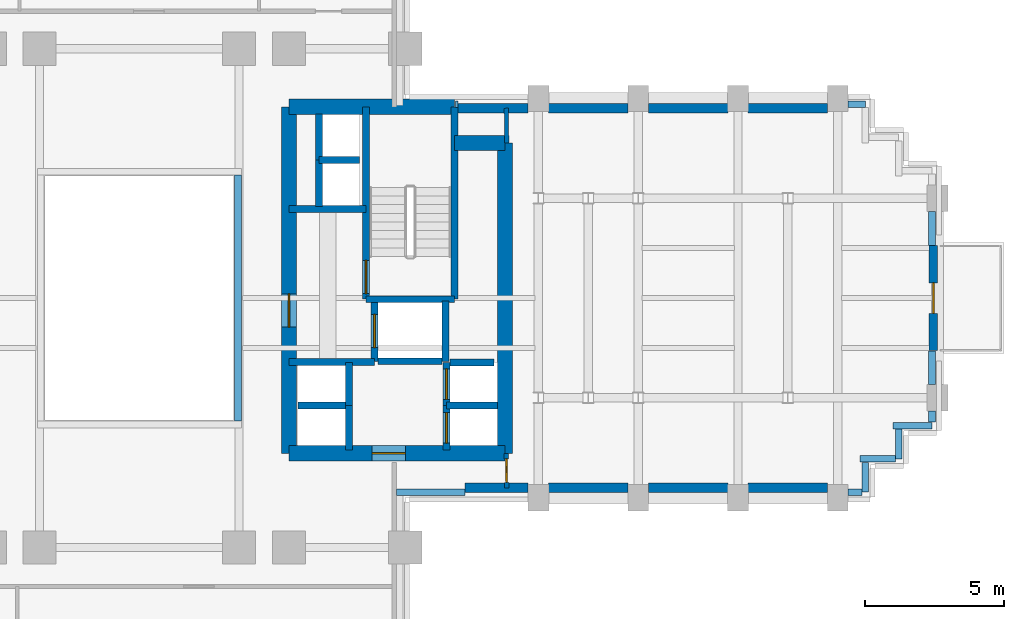
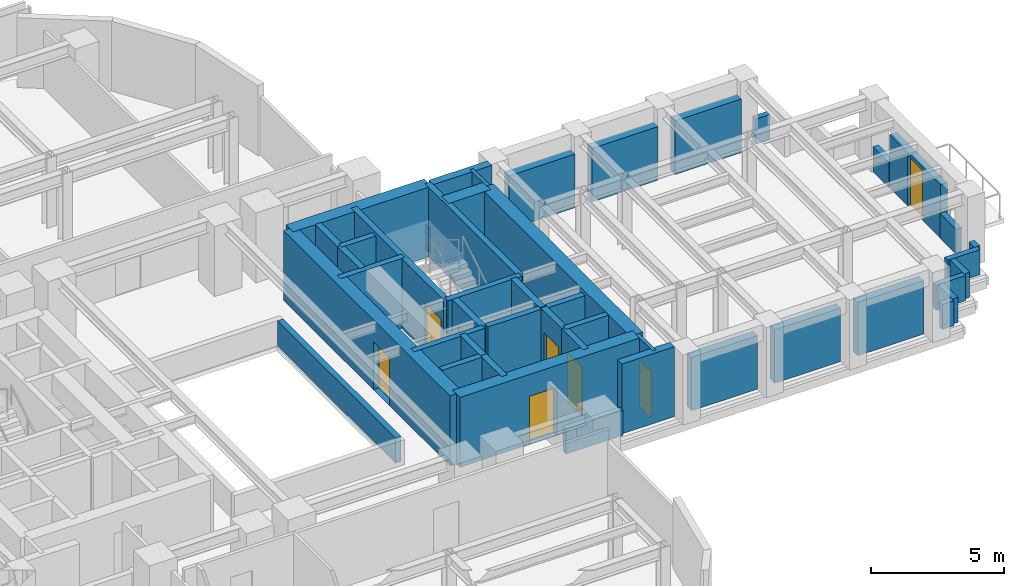
# One storey, part 10 of 14: 46 walls, 8 doors, 8 openings.
"""IFC4 building model written with IfcOpenShell, lengths in metres."""

from ifc_helpers import new_model, si_unit, direction, frame, frame_2d, origin, place, context, subcontext, project, spatial, rectangle, extrude, source, transform, mapped, material, layer, layer_set, type_object, element, fill, save


model = new_model("IFC4")

# Units and contexts
model_context = context("Model", 3, precision=1e-05, world=origin(), true_north=direction((0.0, 1.0)))
body_context = subcontext(model_context, "Body", "Model", "MODEL_VIEW")
ifc_project = project(units=[si_unit("LENGTHUNIT", "METRE"), si_unit("AREAUNIT", "SQUARE_METRE"), si_unit("VOLUMEUNIT", "CUBIC_METRE"), si_unit("PLANEANGLEUNIT", "RADIAN"), si_unit("MASSUNIT", "GRAM", prefix="KILO")], contexts=[model_context])

# Site, building, storey
site_placement = place(None, origin())
site = spatial("IfcSite", under=ifc_project, at=site_placement, CompositionType="ELEMENT")
building_placement = place(site_placement, origin())
building = spatial("IfcBuilding", under=site, at=building_placement, Name="Keilestroom Media Tower", CompositionType="ELEMENT")
storey_placement = place(building_placement, frame((0.0, 0.0, 44.199951171875)))
storey = spatial("IfcBuildingStorey", under=building, at=storey_placement, Name="L10", CompositionType="ELEMENT", Elevation=44.199951171875)

# Wall, opening, door
ifc_material_1 = material(Name="Precast concrete C40/50", Category="concrete")
ifc_layer_1 = layer(ifc_material_1, 0.300048828125)
ifc_layer_set_1 = layer_set([ifc_layer_1], Name="Precast concrete C40/50")
wall_type_1 = type_object("IfcWallType", Name="Exterior-Masonry-Spandrel-Wall-300", PredefinedType="SOLIDWALL", material=ifc_layer_set_1)
wall_1_placement = place(storey_placement, frame((28.64990234375, -1.89990234375, 0.0), z_axis=(0.0, 0.0, 1.0), x_axis=(0.0, 1.0, 0.0)))
wall_1 = element("IfcWall", 1, at=wall_1_placement, inside=storey, type_object=wall_type_1, Name="L10 Terrace Threshold Wall L10-E", PredefinedType="SOLIDWALL", context=body_context, shape_type="SweptSolid", body=[
    extrude(rectangle(XDim=3.7998046875, YDim=0.300048828125, at=frame_2d((1.89990234375, 0.0))), origin(), (0.0, 0.0, 1.0), 2.449951171875),
])
opening_1_placement = place(wall_1_placement, frame((1.35009765625, 0.0, 0.0)))
opening_1 = element("IfcOpeningElement", 2, at=opening_1_placement, cuts=wall_1, Name="Opening DE-02", PredefinedType="OPENING", context=body_context, shape_type="SweptSolid", body=[
    extrude(rectangle(XDim=1.10009765625, YDim=2.300048828125, at=frame_2d((0.550048828125, 1.14990234375))), frame((0.0, 0.16015625, 0.0), z_axis=(0.0, -1.0, 0.0), x_axis=(1.0, 0.0, 0.0)), (0.0, 0.0, 1.0), 0.320068359375),
])
ifc_material_2 = material(Name="Thermally Broken Aluminium & Laminated Glass", Category="aluminium")
door_type_1 = type_object("IfcDoorType", Name="Exterior-Entrance-And-Terrace-Door-DE-02", OperationType="NOTDEFINED", PredefinedType="DOOR", material=ifc_material_2)
shared_shape_1 = source(origin(), body_context, "Body", "SweptSolid", [
    extrude(rectangle(XDim=1.10009765625, YDim=2.300048828125, at=frame_2d((0.550048828125, 1.14990234375))), frame((0.0, 0.02490234375, 0.0), z_axis=(0.0, -1.0, 0.0), x_axis=(1.0, 0.0, 0.0)), (0.0, 0.0, 1.0), 0.050048828125),
])
door_1_placement = place(opening_1_placement, frame((1.10009765625, 0.0, 0.0), z_axis=(0.0, 0.0, 1.0), x_axis=(-1.0, 0.0, 0.0)))
door_1 = element("IfcDoor", 3, at=door_1_placement, inside=storey, type_object=door_type_1, Name="L10 Terrace Access Door DE-02 L10-E", OperationType="SINGLE_SWING_RIGHT", OverallHeight=2.300048828125, OverallWidth=1.10009765625, PredefinedType="DOOR", context=body_context, shape_type="MappedRepresentation", body=[
    mapped(shared_shape_1, transform((0.0, 0.0, 0.0), x_axis=(1.0, 0.0, 0.0), y_axis=(0.0, 1.0, 0.0), z_axis=(0.0, 0.0, 1.0), scale=1.0)),
])
fill(opening_1, door_1)

# Walls
ifc_layer_2 = layer(ifc_material_1, 0.340087890625)
ifc_layer_set_2 = layer_set([ifc_layer_2], Name="Precast concrete C40/50")
wall_type_2 = type_object("IfcWallType", Name="Exterior-Masonry-Spandrel-Wall-340", PredefinedType="SOLIDWALL", material=ifc_layer_set_2)
wall_2_placement = place(storey_placement, frame((11.498046875, 6.85009765625, 0.0), z_axis=(0.0, 0.0, 1.0), x_axis=(1.0, 0.0, 0.0)))
element("IfcWall", 4, at=wall_2_placement, inside=storey, type_object=wall_type_2, Name="L10 Flank Masonry Wall EWL-L10-NE-1", PredefinedType="SOLIDWALL", context=body_context, shape_type="SweptSolid", body=[
    extrude(rectangle(XDim=2.534912109375, YDim=0.340087890625, at=frame_2d((1.267578125, 0.0))), origin(), (0.0, 0.0, 1.0), 3.199951171875),
])
for number, where, z_axis, x_axis, name in (
    (5, (14.76708984375, 6.85009765625, 0.0), (0.0, 0.0, 1.0), (1.0, 0.0, 0.0), "L10 Flank Masonry Wall EWL-L10-NE-2"),
    (6, (18.366943359375, 6.85009765625, 0.0), (0.0, 0.0, 1.0), (1.0, 0.0, 0.0), "L10 Flank Masonry Wall EWL-L10-NE-3"),
    (7, (21.967041015625, 6.85009765625, 0.0), (0.0, 0.0, 1.0), (1.0, 0.0, 0.0), "L10 Flank Masonry Wall EWL-L10-NE-4"),
):
    element("IfcWall", number, at=place(storey_placement, frame(where, z_axis=z_axis, x_axis=x_axis)), inside=storey, type_object=wall_type_2, Name=name, PredefinedType="SOLIDWALL", context=body_context, shape_type="SweptSolid", body=[
        extrude(rectangle(XDim=2.865966796875, YDim=0.340087890625, at=frame_2d((1.43310546875, 0.0))), origin(), (0.0, 0.0, 1.0), 2.449951171875),
    ])
wall_3_placement = place(storey_placement, frame((11.75, -6.85009765625, 0.0), z_axis=(0.0, 0.0, 1.0), x_axis=(1.0, 0.0, 0.0)))
element("IfcWall", 8, at=wall_3_placement, inside=storey, type_object=wall_type_2, Name="L10 Flank Masonry Wall EWL-L10-SE-1", PredefinedType="SOLIDWALL", context=body_context, shape_type="SweptSolid", body=[
    extrude(rectangle(XDim=2.282958984375, YDim=0.340087890625, at=frame_2d((1.1416015625, 0.0))), origin(), (0.0, 0.0, 1.0), 3.199951171875),
])
for number, where, z_axis, x_axis, name in (
    (9, (14.76708984375, -6.85009765625, 0.0), (0.0, 0.0, 1.0), (1.0, 0.0, 0.0), "L10 Flank Masonry Wall EWL-L10-SE-2"),
    (10, (18.366943359375, -6.85009765625, 0.0), (0.0, 0.0, 1.0), (1.0, 0.0, 0.0), "L10 Flank Masonry Wall EWL-L10-SE-3"),
    (11, (21.967041015625, -6.85009765625, 0.0), (0.0, 0.0, 1.0), (1.0, 0.0, 0.0), "L10 Flank Masonry Wall EWL-L10-SE-4"),
):
    element("IfcWall", number, at=place(storey_placement, frame(where, z_axis=z_axis, x_axis=x_axis)), inside=storey, type_object=wall_type_2, Name=name, PredefinedType="SOLIDWALL", context=body_context, shape_type="SweptSolid", body=[
        extrude(rectangle(XDim=2.865966796875, YDim=0.340087890625, at=frame_2d((1.43310546875, 0.0))), origin(), (0.0, 0.0, 1.0), 2.449951171875),
    ])
ifc_material_3 = material(Name="Gypsum Plasterboard & Steel Stud", Category="steel")
ifc_layer_3 = layer(ifc_material_3, 0.14990234375)
ifc_layer_set_3 = layer_set([ifc_layer_3], Name="Gypsum Plasterboard & Steel Stud")
wall_type_3 = type_object("IfcWallType", Name="Interior-Partition-Wall-150", PredefinedType="PARTITIONING", material=ifc_layer_set_3)
wall_4_placement = place(storey_placement, frame((13.260009765625, 5.60009765625, 0.0), z_axis=(0.0, 0.0, 1.0), x_axis=(-0.016013571389, 0.999871774545, 0.0)))
element("IfcWall", 12, at=wall_4_placement, inside=storey, type_object=wall_type_3, Name="L10 Interior Wall WP-L10-EA-ENTN", PredefinedType="PARTITIONING", context=body_context, shape_type="SweptSolid", body=[
    extrude(rectangle(XDim=1.250244140625, YDim=0.14990234375, at=frame_2d((0.625, 0.0))), origin(), (0.0, 0.0, 1.0), 3.199951171875),
])

# Wall, opening, door
wall_5_placement = place(storey_placement, frame((13.260009765625, -6.85009765625, 0.0), z_axis=(0.0, 0.0, 1.0), x_axis=(-0.016013571389, 0.999871774545, 0.0)))
wall_5 = element("IfcWall", 13, at=wall_5_placement, inside=storey, type_object=wall_type_3, Name="L10 Interior Wall WP-L10-EA-ENTS", PredefinedType="PARTITIONING", context=body_context, shape_type="SweptSolid", body=[
    extrude(rectangle(XDim=1.250244140625, YDim=0.14990234375, at=frame_2d((0.625, 0.0))), origin(), (0.0, 0.0, 1.0), 3.199951171875),
])
opening_2_placement = place(wall_5_placement, frame((0.199951171875, 0.0, 0.0)))
opening_2 = element("IfcOpeningElement", 14, at=opening_2_placement, cuts=wall_5, Name="Opening DI-05", PredefinedType="OPENING", context=body_context, shape_type="SweptSolid", body=[
    extrude(rectangle(XDim=0.85009765625, YDim=2.10009765625, at=frame_2d((0.425048828125, 1.050048828125))), frame((0.0, 0.0849609375, 0.0), z_axis=(0.0, -1.0, 0.0), x_axis=(1.0, 0.0, 0.0)), (0.0, 0.0, 1.0), 0.169921875),
])
ifc_material_4 = material(Name="Moisture-Resistant Oak Leaf", Category="wood")
door_type_2 = type_object("IfcDoorType", Name="Interior-En-Suite-And-Cupboard-Door-DI-05", OperationType="NOTDEFINED", PredefinedType="DOOR", material=ifc_material_4)
shared_shape_2 = source(origin(), body_context, "Body", "SweptSolid", [
    extrude(rectangle(XDim=0.85009765625, YDim=2.10009765625, at=frame_2d((0.425048828125, 1.050048828125))), frame((0.0, 0.02490234375, 0.0), z_axis=(0.0, -1.0, 0.0), x_axis=(1.0, 0.0, 0.0)), (0.0, 0.0, 1.0), 0.050048828125),
])
door_2_placement = place(opening_2_placement, origin())
door_2 = element("IfcDoor", 15, at=door_2_placement, inside=storey, type_object=door_type_2, Name="L10 Interior Door DI-L10-DEA-S", OperationType="SINGLE_SWING_RIGHT", OverallHeight=2.10009765625, OverallWidth=0.85009765625, PredefinedType="DOOR", context=body_context, shape_type="MappedRepresentation", body=[
    mapped(shared_shape_2, transform((0.0, 0.0, 0.0), x_axis=(1.0, 0.0, 0.0), y_axis=(0.0, 1.0, 0.0), z_axis=(0.0, 0.0, 1.0), scale=1.0)),
])
fill(opening_2, door_2)

# Wall
ifc_material_5 = material(Name="Concrete C70/85", Category="concrete")
ifc_layer_4 = layer(ifc_material_5, 0.550048828125)
ifc_layer_set_4 = layer_set([ifc_layer_4], Name="Concrete C70/85")
wall_type_4 = type_object("IfcWallType", Name="Reinforced-Concrete-Core-Shear-Wall-550", PredefinedType="SHEAR", material=ifc_layer_set_4)
wall_6_placement = place(storey_placement, frame((13.199951171875, -5.60009765625, 0.0), z_axis=(0.0, 0.0, 1.0), x_axis=(0.0, 1.0, 0.0)))
element("IfcWall", 16, at=wall_6_placement, inside=storey, type_object=wall_type_4, Name="L10 Core Shear Wall WL-L10-CORE-E-OUT", PredefinedType="SHEAR", context=body_context, shape_type="SweptSolid", body=[
    extrude(rectangle(XDim=11.2001953125, YDim=0.550048828125, at=frame_2d((5.60009765625, 0.0))), origin(), (0.0, 0.0, 1.0), 3.199951171875),
])

# Wall, opening, door
wall_7_placement = place(storey_placement, frame((5.39990234375, -5.60009765625, 0.0), z_axis=(0.0, 0.0, 1.0), x_axis=(0.0, 1.0, 0.0)))
wall_7 = element("IfcWall", 17, at=wall_7_placement, inside=storey, type_object=wall_type_4, Name="L10 Core Shear Wall WL-L10-CORE-E-IN", PredefinedType="SHEAR", context=body_context, shape_type="SweptSolid", body=[
    extrude(rectangle(XDim=12.5, YDim=0.550048828125, at=frame_2d((6.25, 0.0))), origin(), (0.0, 0.0, 1.0), 3.199951171875),
])
opening_3_placement = place(wall_7_placement, frame((4.550048828125, 0.0, 0.0)))
opening_3 = element("IfcOpeningElement", 18, at=opening_3_placement, cuts=wall_7, Name="Opening DI-02", PredefinedType="OPENING", context=body_context, shape_type="SweptSolid", body=[
    extrude(rectangle(XDim=1.199951171875, YDim=2.199951171875, at=frame_2d((0.60009765625, 1.10009765625))), frame((0.0, 0.28515625, 0.0), z_axis=(0.0, -1.0, 0.0), x_axis=(1.0, 0.0, 0.0)), (0.0, 0.0, 1.0), 0.570068359375),
])
ifc_material_6 = material(Name="Powder-Coated Steel Fire Leaf", Category="steel")
door_type_3 = type_object("IfcDoorType", Name="Interior-Compartment-Fire-Door-DI-02", OperationType="NOTDEFINED", PredefinedType="DOOR", material=ifc_material_6)
shared_shape_3 = source(origin(), body_context, "Body", "SweptSolid", [
    extrude(rectangle(XDim=1.199951171875, YDim=2.199951171875, at=frame_2d((0.60009765625, 1.10009765625))), frame((0.0, 0.02490234375, 0.0), z_axis=(0.0, -1.0, 0.0), x_axis=(1.0, 0.0, 0.0)), (0.0, 0.0, 1.0), 0.050048828125),
])
door_3_placement = place(opening_3_placement, origin())
door_3 = element("IfcDoor", 19, at=door_3_placement, inside=storey, type_object=door_type_3, Name="L10 E Firefighting Lobby Door", OperationType="SINGLE_SWING_LEFT", OverallHeight=2.199951171875, OverallWidth=1.199951171875, PredefinedType="DOOR", context=body_context, shape_type="MappedRepresentation", body=[
    mapped(shared_shape_3, transform((0.0, 0.0, 0.0), x_axis=(1.0, 0.0, 0.0), y_axis=(0.0, 1.0, 0.0), z_axis=(0.0, 0.0, 1.0), scale=1.0)),
])
fill(opening_3, door_3)

# Walls
wall_8_placement = place(storey_placement, frame((5.39990234375, 6.89990234375, 0.0), z_axis=(0.0, 0.0, 1.0), x_axis=(1.0, 0.0, 0.0)))
element("IfcWall", 20, at=wall_8_placement, inside=storey, type_object=wall_type_4, Name="L10 Core Shear Wall WL-L10-CORE-E-N", PredefinedType="SHEAR", context=body_context, shape_type="SweptSolid", body=[
    extrude(rectangle(XDim=5.981201171875, YDim=0.550048828125, at=frame_2d((2.99072265625, 0.0))), origin(), (0.0, 0.0, 1.0), 3.199951171875),
])
wall_9_placement = place(storey_placement, frame((11.381103515625, 5.60009765625, 0.0), z_axis=(0.0, 0.0, 1.0), x_axis=(1.0, 0.0, 0.0)))
element("IfcWall", 21, at=wall_9_placement, inside=storey, type_object=wall_type_4, Name="L10 Core Shear Wall WL-L10-CNE-N", PredefinedType="SHEAR", context=body_context, shape_type="SweptSolid", body=[
    extrude(rectangle(XDim=1.81884765625, YDim=0.550048828125, at=frame_2d((0.909423828125, 0.0))), origin(), (0.0, 0.0, 1.0), 3.199951171875),
])

# Wall, opening, door
wall_10_placement = place(storey_placement, frame((5.39990234375, -5.60009765625, 0.0), z_axis=(0.0, 0.0, 1.0), x_axis=(1.0, 0.0, 0.0)))
wall_10 = element("IfcWall", 22, at=wall_10_placement, inside=storey, type_object=wall_type_4, Name="L10 Core Shear Wall WL-L10-CORE-E-S", PredefinedType="SHEAR", context=body_context, shape_type="SweptSolid", body=[
    extrude(rectangle(XDim=7.800048828125, YDim=0.550048828125, at=frame_2d((3.89990234375, 0.0))), origin(), (0.0, 0.0, 1.0), 3.199951171875),
])
opening_4_placement = place(wall_10_placement, frame((3.0, 0.0, 0.0)))
opening_4 = element("IfcOpeningElement", 23, at=opening_4_placement, cuts=wall_10, Name="Opening DI-02", PredefinedType="OPENING", context=body_context, shape_type="SweptSolid", body=[
    extrude(rectangle(XDim=1.199951171875, YDim=2.199951171875, at=frame_2d((0.60009765625, 1.10009765625))), frame((0.0, 0.28515625, 0.0), z_axis=(0.0, -1.0, 0.0), x_axis=(1.0, 0.0, 0.0)), (0.0, 0.0, 1.0), 0.570068359375),
])
door_4_placement = place(opening_4_placement, origin())
door_4 = element("IfcDoor", 24, at=door_4_placement, inside=storey, type_object=door_type_3, Name="L10 E Passenger Lift Lobby Door", OperationType="SINGLE_SWING_RIGHT", OverallHeight=2.199951171875, OverallWidth=1.199951171875, PredefinedType="DOOR", context=body_context, shape_type="MappedRepresentation", body=[
    mapped(shared_shape_3, transform((0.0, 0.0, 0.0), x_axis=(1.0, 0.0, 0.0), y_axis=(0.0, 1.0, 0.0), z_axis=(0.0, 0.0, 1.0), scale=1.0)),
])
fill(opening_4, door_4)

# Walls
ifc_material_7 = material(Name="Concrete C50/60", Category="concrete")
ifc_layer_5 = layer(ifc_material_7, 0.25)
ifc_layer_set_5 = layer_set([ifc_layer_5], Name="Concrete C50/60")
wall_type_5 = type_object("IfcWallType", Name="Reinforced-Concrete-Shaft-Wall-250", PredefinedType="SOLIDWALL", material=ifc_layer_set_5)
wall_11_placement = place(storey_placement, frame((5.39990234375, 3.219970703125, 0.0), z_axis=(0.0, 0.0, 1.0), x_axis=(1.0, 0.0, 0.0)))
element("IfcWall", 25, at=wall_11_placement, inside=storey, type_object=wall_type_5, Name="L10 Core Shear Wall WL-L10-CORE-E-FFN", PredefinedType="SOLIDWALL", context=body_context, shape_type="SweptSolid", body=[
    extrude(rectangle(XDim=2.780029296875, YDim=0.25, at=frame_2d((1.39013671875, 0.0))), origin(), (0.0, 0.0, 1.0), 3.199951171875),
])
wall_12_placement = place(storey_placement, frame((5.39990234375, -2.300048828125, 0.0), z_axis=(0.0, 0.0, 1.0), x_axis=(1.0, 0.0, 0.0)))
element("IfcWall", 26, at=wall_12_placement, inside=storey, type_object=wall_type_5, Name="L10 Core Shear Wall WL-L10-CORE-E-FFS", PredefinedType="SOLIDWALL", context=body_context, shape_type="SweptSolid", body=[
    extrude(rectangle(XDim=3.080078125, YDim=0.25, at=frame_2d((1.5400390625, 0.0))), origin(), (0.0, 0.0, 1.0), 3.199951171875),
])

# Wall, opening, door
wall_13_placement = place(storey_placement, frame((8.178955078125, -0.041015625, 0.0), z_axis=(0.0, 0.0, 1.0), x_axis=(0.0, 1.0, 0.0)))
wall_13 = element("IfcWall", 27, at=wall_13_placement, inside=storey, type_object=wall_type_5, Name="L10 Core Shear Wall WL-L10-STW-E-NEAR", PredefinedType="SOLIDWALL", context=body_context, shape_type="SweptSolid", body=[
    extrude(rectangle(XDim=6.94091796875, YDim=0.25, at=frame_2d((3.470458984375, 0.0))), origin(), (0.0, 0.0, 1.0), 3.199951171875),
])
opening_5_placement = place(wall_13_placement, frame((0.199951171875, 0.0, 0.0)))
opening_5 = element("IfcOpeningElement", 28, at=opening_5_placement, cuts=wall_13, Name="Opening DI-01S", PredefinedType="OPENING", context=body_context, shape_type="SweptSolid", body=[
    extrude(rectangle(XDim=1.199951171875, YDim=2.199951171875, at=frame_2d((0.60009765625, 1.10009765625))), frame((0.0, 0.135009765625, 0.0), z_axis=(0.0, -1.0, 0.0), x_axis=(1.0, 0.0, 0.0)), (0.0, 0.0, 1.0), 0.27001953125),
])
door_type_4 = type_object("IfcDoorType", Name="Interior-Stair-And-Core-Fire-Door-DI-01", OperationType="NOTDEFINED", PredefinedType="DOOR", material=ifc_material_6)
door_5_placement = place(opening_5_placement, origin())
door_5 = element("IfcDoor", 29, at=door_5_placement, inside=storey, type_object=door_type_4, Name="L10 Escape Stair ST-2 Fire Door", OperationType="SINGLE_SWING_RIGHT", OverallHeight=2.199951171875, OverallWidth=1.199951171875, PredefinedType="DOOR", context=body_context, shape_type="MappedRepresentation", body=[
    mapped(shared_shape_3, transform((0.0, 0.0, 0.0), x_axis=(1.0, 0.0, 0.0), y_axis=(0.0, 1.0, 0.0), z_axis=(0.0, 0.0, 1.0), scale=1.0)),
])
fill(opening_5, door_5)

# Walls
wall_14_placement = place(storey_placement, frame((11.381103515625, -0.041015625, 0.0), z_axis=(0.0, 0.0, 1.0), x_axis=(0.0, 1.0, 0.0)))
element("IfcWall", 30, at=wall_14_placement, inside=storey, type_object=wall_type_5, Name="L10 Core Shear Wall WL-L10-STW-E-FAR", PredefinedType="SOLIDWALL", context=body_context, shape_type="SweptSolid", body=[
    extrude(rectangle(XDim=6.94091796875, YDim=0.25, at=frame_2d((3.470458984375, 0.0))), origin(), (0.0, 0.0, 1.0), 3.199951171875),
])
wall_15_placement = place(storey_placement, frame((8.178955078125, -0.041015625, 0.0), z_axis=(0.0, 0.0, 1.0), x_axis=(1.0, 0.0, 0.0)))
element("IfcWall", 31, at=wall_15_placement, inside=storey, type_object=wall_type_5, Name="L10 Core Shear Wall WL-L10-STW-E-S", PredefinedType="SOLIDWALL", context=body_context, shape_type="SweptSolid", body=[
    extrude(rectangle(XDim=3.2021484375, YDim=0.25, at=frame_2d((1.60107421875, 0.0))), origin(), (0.0, 0.0, 1.0), 3.199951171875),
])

# Wall, opening, door
wall_16_placement = place(storey_placement, frame((8.47998046875, -2.280029296875, 0.0), z_axis=(0.0, 0.0, 1.0), x_axis=(0.0, 1.0, 0.0)))
wall_16 = element("IfcWall", 32, at=wall_16_placement, inside=storey, type_object=wall_type_5, Name="L10 Core Shear Wall WL-L10-LSH-FFL-2-W", PredefinedType="SOLIDWALL", context=body_context, shape_type="SweptSolid", body=[
    extrude(rectangle(XDim=2.179931640625, YDim=0.25, at=frame_2d((1.08984375, 0.0))), origin(), (0.0, 0.0, 1.0), 3.199951171875),
])
opening_6_placement = place(wall_16_placement, frame((0.489990234375, 0.0, 0.0)))
opening_6 = element("IfcOpeningElement", 33, at=opening_6_placement, cuts=wall_16, Name="Opening LD-02", PredefinedType="OPENING", context=body_context, shape_type="SweptSolid", body=[
    extrude(rectangle(XDim=1.199951171875, YDim=2.199951171875, at=frame_2d((0.60009765625, 1.10009765625))), frame((0.0, 0.135009765625, 0.0), z_axis=(0.0, -1.0, 0.0), x_axis=(1.0, 0.0, 0.0)), (0.0, 0.0, 1.0), 0.27001953125),
])
ifc_material_8 = material(Name="Brushed Stainless Steel Sliding Leaf", Category="steel")
door_type_5 = type_object("IfcDoorType", Name="Lift-Landing-Sliding-Door-LD-02", OperationType="SLIDING_TO_RIGHT", PredefinedType="DOOR", material=ifc_material_8)
door_6_placement = place(opening_6_placement, origin())
door_6 = element("IfcDoor", 34, at=door_6_placement, inside=storey, type_object=door_type_5, Name="L10 Lift FFL-2 Landing Sliding Door", OperationType="SLIDING_TO_RIGHT", OverallHeight=2.199951171875, OverallWidth=1.199951171875, PredefinedType="DOOR", context=body_context, shape_type="MappedRepresentation", body=[
    mapped(shared_shape_3, transform((0.0, 0.0, 0.0), x_axis=(1.0, 0.0, 0.0), y_axis=(0.0, 1.0, 0.0), z_axis=(0.0, 0.0, 1.0), scale=1.0)),
])
fill(opening_6, door_6)

# Walls
wall_17_placement = place(storey_placement, frame((11.050048828125, -2.280029296875, 0.0), z_axis=(0.0, 0.0, 1.0), x_axis=(0.0, 1.0, 0.0)))
element("IfcWall", 35, at=wall_17_placement, inside=storey, type_object=wall_type_5, Name="L10 Core Shear Wall WL-L10-LSH-FFL-2-E", PredefinedType="SOLIDWALL", context=body_context, shape_type="SweptSolid", body=[
    extrude(rectangle(XDim=2.179931640625, YDim=0.25, at=frame_2d((1.08984375, 0.0))), origin(), (0.0, 0.0, 1.0), 3.199951171875),
])
wall_18_placement = place(storey_placement, frame((8.60888671875, -2.280029296875, 0.0), z_axis=(0.0, 0.0, 1.0), x_axis=(1.0, 0.0, 0.0)))
element("IfcWall", 36, at=wall_18_placement, inside=storey, type_object=wall_type_5, Name="L10 Core Shear Wall WL-L10-LSH-FFL-2-S", PredefinedType="SOLIDWALL", context=body_context, shape_type="SweptSolid", body=[
    extrude(rectangle(XDim=2.31201171875, YDim=0.25, at=frame_2d((1.156005859375, 0.0))), origin(), (0.0, 0.0, 1.0), 3.199951171875),
])

# Wall, opening, door
wall_19_placement = place(storey_placement, frame((11.080078125, -5.47998046875, 0.0), z_axis=(0.0, 0.0, 1.0), x_axis=(0.0, 1.0, 0.0)))
wall_19 = element("IfcWall", 37, at=wall_19_placement, inside=storey, type_object=wall_type_5, Name="L10 Core Shear Wall WL-L10-LSH-PL-L3-W", PredefinedType="SOLIDWALL", context=body_context, shape_type="SweptSolid", body=[
    extrude(rectangle(XDim=1.60009765625, YDim=0.25, at=frame_2d((0.800048828125, 0.0))), origin(), (0.0, 0.0, 1.0), 3.199951171875),
])
opening_7_placement = place(wall_19_placement, frame((0.25, 0.0, 0.0)))
opening_7 = element("IfcOpeningElement", 38, at=opening_7_placement, cuts=wall_19, Name="Opening LD-01", PredefinedType="OPENING", context=body_context, shape_type="SweptSolid", body=[
    extrude(rectangle(XDim=1.10009765625, YDim=2.199951171875, at=frame_2d((0.550048828125, 1.10009765625))), frame((0.0, 0.135009765625, 0.0), z_axis=(0.0, -1.0, 0.0), x_axis=(1.0, 0.0, 0.0)), (0.0, 0.0, 1.0), 0.27001953125),
])
door_type_6 = type_object("IfcDoorType", Name="Lift-Landing-Sliding-Door-LD-01", OperationType="SLIDING_TO_LEFT", PredefinedType="DOOR", material=ifc_material_8)
shared_shape_4 = source(origin(), body_context, "Body", "SweptSolid", [
    extrude(rectangle(XDim=1.10009765625, YDim=2.199951171875, at=frame_2d((0.550048828125, 1.10009765625))), frame((0.0, 0.02490234375, 0.0), z_axis=(0.0, -1.0, 0.0), x_axis=(1.0, 0.0, 0.0)), (0.0, 0.0, 1.0), 0.050048828125),
])
door_7_placement = place(opening_7_placement, origin())
door_7 = element("IfcDoor", 39, at=door_7_placement, inside=storey, type_object=door_type_6, Name="L10 Lift PL-L3 Landing Sliding Door", OperationType="SLIDING_TO_LEFT", OverallHeight=2.199951171875, OverallWidth=1.10009765625, PredefinedType="DOOR", context=body_context, shape_type="MappedRepresentation", body=[
    mapped(shared_shape_4, transform((0.0, 0.0, 0.0), x_axis=(1.0, 0.0, 0.0), y_axis=(0.0, 1.0, 0.0), z_axis=(0.0, 0.0, 1.0), scale=1.0)),
])
fill(opening_7, door_7)

# Wall
wall_20_placement = place(storey_placement, frame((11.080078125, -3.8798828125, 0.0), z_axis=(0.0, 0.0, 1.0), x_axis=(1.0, 0.0, 0.0)))
element("IfcWall", 40, at=wall_20_placement, inside=storey, type_object=wall_type_5, Name="L10 Core Shear Wall WL-L10-LSH-PL-L3-N", PredefinedType="SOLIDWALL", context=body_context, shape_type="SweptSolid", body=[
    extrude(rectangle(XDim=1.83984375, YDim=0.25, at=frame_2d((0.919921875, 0.0))), origin(), (0.0, 0.0, 1.0), 3.199951171875),
])

# Wall, opening, door
wall_21_placement = place(storey_placement, frame((11.080078125, -3.8798828125, 0.0), z_axis=(0.0, 0.0, 1.0), x_axis=(0.0, 1.0, 0.0)))
wall_21 = element("IfcWall", 41, at=wall_21_placement, inside=storey, type_object=wall_type_5, Name="L10 Core Shear Wall WL-L10-LSH-PL-L4-W", PredefinedType="SOLIDWALL", context=body_context, shape_type="SweptSolid", body=[
    extrude(rectangle(XDim=1.559814453125, YDim=0.25, at=frame_2d((0.77978515625, 0.0))), origin(), (0.0, 0.0, 1.0), 3.199951171875),
])
opening_8_placement = place(wall_21_placement, frame((0.22998046875, 0.0, 0.0)))
opening_8 = element("IfcOpeningElement", 42, at=opening_8_placement, cuts=wall_21, Name="Opening LD-01", PredefinedType="OPENING", context=body_context, shape_type="SweptSolid", body=[
    extrude(rectangle(XDim=1.10009765625, YDim=2.199951171875, at=frame_2d((0.550048828125, 1.10009765625))), frame((0.0, 0.135009765625, 0.0), z_axis=(0.0, -1.0, 0.0), x_axis=(1.0, 0.0, 0.0)), (0.0, 0.0, 1.0), 0.27001953125),
])
door_8_placement = place(opening_8_placement, origin())
door_8 = element("IfcDoor", 43, at=door_8_placement, inside=storey, type_object=door_type_6, Name="L10 Lift PL-L4 Landing Sliding Door", OperationType="SLIDING_TO_LEFT", OverallHeight=2.199951171875, OverallWidth=1.10009765625, PredefinedType="DOOR", context=body_context, shape_type="MappedRepresentation", body=[
    mapped(shared_shape_4, transform((0.0, 0.0, 0.0), x_axis=(1.0, 0.0, 0.0), y_axis=(0.0, 1.0, 0.0), z_axis=(0.0, 0.0, 1.0), scale=1.0)),
])
fill(opening_8, door_8)

# Walls
wall_22_placement = place(storey_placement, frame((11.208984375, -2.320068359375, 0.0), z_axis=(0.0, 0.0, 1.0), x_axis=(1.0, 0.0, 0.0)))
element("IfcWall", 44, at=wall_22_placement, inside=storey, type_object=wall_type_5, Name="L10 Core Shear Wall WL-L10-LSH-PL-L4-N", PredefinedType="SOLIDWALL", context=body_context, shape_type="SweptSolid", body=[
    extrude(rectangle(XDim=1.58203125, YDim=0.25, at=frame_2d((0.791015625, 0.0))), origin(), (0.0, 0.0, 1.0), 3.199951171875),
])
wall_23_placement = place(storey_placement, frame((7.56005859375, -5.47998046875, 0.0), z_axis=(0.0, 0.0, 1.0), x_axis=(0.0, 1.0, 0.0)))
element("IfcWall", 45, at=wall_23_placement, inside=storey, type_object=wall_type_5, Name="L10 Core Shear Wall WL-L10-LSH-PL-M3-E", PredefinedType="SOLIDWALL", context=body_context, shape_type="SweptSolid", body=[
    extrude(rectangle(XDim=1.60009765625, YDim=0.25, at=frame_2d((0.800048828125, 0.0))), origin(), (0.0, 0.0, 1.0), 3.199951171875),
])
wall_24_placement = place(storey_placement, frame((5.719970703125, -3.8798828125, 0.0), z_axis=(0.0, 0.0, 1.0), x_axis=(1.0, 0.0, 0.0)))
element("IfcWall", 46, at=wall_24_placement, inside=storey, type_object=wall_type_5, Name="L10 Core Shear Wall WL-L10-LSH-PL-M3-N", PredefinedType="SOLIDWALL", context=body_context, shape_type="SweptSolid", body=[
    extrude(rectangle(XDim=1.840087890625, YDim=0.25, at=frame_2d((0.919921875, 0.0))), origin(), (0.0, 0.0, 1.0), 3.199951171875),
])
wall_25_placement = place(storey_placement, frame((7.56005859375, -3.8798828125, 0.0), z_axis=(0.0, 0.0, 1.0), x_axis=(0.0, 1.0, 0.0)))
element("IfcWall", 47, at=wall_25_placement, inside=storey, type_object=wall_type_5, Name="L10 Core Shear Wall WL-L10-LSH-PL-M4-E", PredefinedType="SOLIDWALL", context=body_context, shape_type="SweptSolid", body=[
    extrude(rectangle(XDim=1.559814453125, YDim=0.25, at=frame_2d((0.77978515625, 0.0))), origin(), (0.0, 0.0, 1.0), 3.199951171875),
])
wall_26_placement = place(storey_placement, frame((6.47998046875, 3.300048828125, 0.0), z_axis=(0.0, 0.0, 1.0), x_axis=(0.0, 1.0, 0.0)))
element("IfcWall", 48, at=wall_26_placement, inside=storey, type_object=wall_type_5, Name="L10 Core Shear Wall WL-L10-LSH-PL-H3-W", PredefinedType="SOLIDWALL", context=body_context, shape_type="SweptSolid", body=[
    extrude(rectangle(XDim=1.679931640625, YDim=0.25, at=frame_2d((0.83984375, 0.0))), origin(), (0.0, 0.0, 1.0), 3.199951171875),
])
wall_27_placement = place(storey_placement, frame((6.47998046875, 4.97998046875, 0.0), z_axis=(0.0, 0.0, 1.0), x_axis=(1.0, 0.0, 0.0)))
element("IfcWall", 49, at=wall_27_placement, inside=storey, type_object=wall_type_5, Name="L10 Core Shear Wall WL-L10-LSH-PL-H3-N", PredefinedType="SOLIDWALL", context=body_context, shape_type="SweptSolid", body=[
    extrude(rectangle(XDim=1.469970703125, YDim=0.25, at=frame_2d((0.73486328125, 0.0))), origin(), (0.0, 0.0, 1.0), 3.199951171875),
])
wall_28_placement = place(storey_placement, frame((6.47998046875, 4.97998046875, 0.0), z_axis=(0.0, 0.0, 1.0), x_axis=(0.0, 1.0, 0.0)))
element("IfcWall", 50, at=wall_28_placement, inside=storey, type_object=wall_type_5, Name="L10 Core Shear Wall WL-L10-LSH-PL-H4-W", PredefinedType="SOLIDWALL", context=body_context, shape_type="SweptSolid", body=[
    extrude(rectangle(XDim=1.669921875, YDim=0.25, at=frame_2d((0.8349609375, 0.0))), origin(), (0.0, 0.0, 1.0), 3.199951171875),
])
ifc_layer_6 = layer(ifc_material_1, 0.239990234375)
ifc_layer_set_6 = layer_set([ifc_layer_6], Name="Precast concrete C40/50")
wall_type_6 = type_object("IfcWallType", Name="Roof-And-Terrace-Parapet-Wall-240", PredefinedType="PARAPET", material=ifc_layer_set_6)
wall_29_placement = place(storey_placement, frame((28.60009765625, -4.60009765625, 0.0), z_axis=(0.0, 0.0, 1.0), x_axis=(-1.0, 0.0, 0.0)))
element("IfcWall", 51, at=wall_29_placement, inside=storey, type_object=wall_type_6, Name="L10 Perimeter Edge Parapet Wall 01", PredefinedType="PARAPET", context=body_context, shape_type="SweptSolid", body=[
    extrude(rectangle(XDim=1.400146484375, YDim=0.239990234375, at=frame_2d((0.7001953125, 0.0))), origin(), (0.0, 0.0, 1.0), 1.150146484375),
])
wall_30_placement = place(storey_placement, frame((27.39990234375, -4.722900390625, 0.0), z_axis=(0.0, 0.0, 1.0), x_axis=(0.0, -1.0, 0.0)))
element("IfcWall", 52, at=wall_30_placement, inside=storey, type_object=wall_type_6, Name="L10 Perimeter Edge Parapet Wall 02", PredefinedType="PARAPET", context=body_context, shape_type="SweptSolid", body=[
    extrude(rectangle(XDim=1.0771484375, YDim=0.239990234375, at=frame_2d((0.53857421875, 0.0))), origin(), (0.0, 0.0, 1.0), 1.150146484375),
])
wall_31_placement = place(storey_placement, frame((27.277099609375, -5.800048828125, 0.0), z_axis=(0.0, 0.0, 1.0), x_axis=(-1.0, 0.0, 0.0)))
element("IfcWall", 53, at=wall_31_placement, inside=storey, type_object=wall_type_6, Name="L10 Perimeter Edge Parapet Wall 03", PredefinedType="PARAPET", context=body_context, shape_type="SweptSolid", body=[
    extrude(rectangle(XDim=1.277099609375, YDim=0.239990234375, at=frame_2d((0.638671875, 0.0))), origin(), (0.0, 0.0, 1.0), 1.150146484375),
])
wall_32_placement = place(storey_placement, frame((26.199951171875, -5.923095703125, 0.0), z_axis=(0.0, 0.0, 1.0), x_axis=(0.0, -1.0, 0.0)))
element("IfcWall", 54, at=wall_32_placement, inside=storey, type_object=wall_type_6, Name="L10 Perimeter Edge Parapet Wall 04", PredefinedType="PARAPET", context=body_context, shape_type="SweptSolid", body=[
    extrude(rectangle(XDim=1.076904296875, YDim=0.239990234375, at=frame_2d((0.53857421875, 0.0))), origin(), (0.0, 0.0, 1.0), 1.150146484375),
])
wall_33_placement = place(storey_placement, frame((26.076904296875, -7.0, 0.0), z_axis=(0.0, 0.0, 1.0), x_axis=(-1.0, 0.0, 0.0)))
element("IfcWall", 55, at=wall_33_placement, inside=storey, type_object=wall_type_6, Name="L10 Perimeter Edge Parapet Wall 05", PredefinedType="PARAPET", context=body_context, shape_type="SweptSolid", body=[
    extrude(rectangle(XDim=0.4990234375, YDim=0.239990234375, at=frame_2d((0.24951171875, 0.0))), origin(), (0.0, 0.0, 1.0), 1.150146484375),
])
wall_34_placement = place(storey_placement, frame((11.7470703125, -7.0, 0.0), z_axis=(0.0, 0.0, 1.0), x_axis=(-1.0, 0.0, 0.0)))
element("IfcWall", 56, at=wall_34_placement, inside=storey, type_object=wall_type_6, Name="L10 Perimeter Edge Parapet Wall 06", PredefinedType="PARAPET", context=body_context, shape_type="SweptSolid", body=[
    extrude(rectangle(XDim=2.468994140625, YDim=0.239990234375, at=frame_2d((1.234375, 0.0))), origin(), (0.0, 0.0, 1.0), 1.150146484375),
])
wall_35_placement = place(storey_placement, frame((11.403076171875, 7.0, 0.0), z_axis=(0.0, 0.0, 1.0), x_axis=(1.0, 0.0, 0.0)))
element("IfcWall", 57, at=wall_35_placement, inside=storey, type_object=wall_type_6, Name="L10 Perimeter Edge Parapet Wall 33", PredefinedType="PARAPET", context=body_context, shape_type="SweptSolid", body=[
    extrude(rectangle(XDim=0.092041015625, YDim=0.239990234375, at=frame_2d((0.0458984375, 0.0))), origin(), (0.0, 0.0, 1.0), 1.150146484375),
])
wall_36_placement = place(storey_placement, frame((25.577880859375, 7.0, 0.0), z_axis=(0.0, 0.0, 1.0), x_axis=(1.0, 0.0, 0.0)))
element("IfcWall", 58, at=wall_36_placement, inside=storey, type_object=wall_type_6, Name="L10 Perimeter Edge Parapet Wall 34", PredefinedType="PARAPET", context=body_context, shape_type="SweptSolid", body=[
    extrude(rectangle(XDim=0.6220703125, YDim=0.239990234375, at=frame_2d((0.31103515625, 0.0))), origin(), (0.0, 0.0, 1.0), 1.150146484375),
])
for number, where, z_axis, x_axis, name in (
    (59, (28.60009765625, 3.1220703125, 0.0), (0.0, 0.0, 1.0), (0.0, -1.0, 0.0), "L10 Perimeter Edge Parapet Wall 40"),
    (60, (28.60009765625, -1.903076171875, 0.0), (0.0, 0.0, 1.0), (0.0, -1.0, 0.0), "L10 Perimeter Edge Parapet Wall 41"),
):
    element("IfcWall", number, at=place(storey_placement, frame(where, z_axis=z_axis, x_axis=x_axis)), inside=storey, type_object=wall_type_6, Name=name, PredefinedType="PARAPET", context=body_context, shape_type="SweptSolid", body=[
        extrude(rectangle(XDim=1.218994140625, YDim=0.239990234375, at=frame_2d((0.609375, 0.0))), origin(), (0.0, 0.0, 1.0), 1.150146484375),
    ])
wall_37_placement = place(storey_placement, frame((28.60009765625, -4.077880859375, 0.0), z_axis=(0.0, 0.0, 1.0), x_axis=(0.0, -1.0, 0.0)))
element("IfcWall", 61, at=wall_37_placement, inside=storey, type_object=wall_type_6, Name="L10 Perimeter Edge Parapet Wall 42", PredefinedType="PARAPET", context=body_context, shape_type="SweptSolid", body=[
    extrude(rectangle(XDim=0.399169921875, YDim=0.239990234375, at=frame_2d((0.19970703125, 0.0))), origin(), (0.0, 0.0, 1.0), 1.150146484375),
])
wall_38_placement = place(storey_placement, frame((3.56005859375, -4.43505859375, 0.0), z_axis=(0.0, 0.0, 1.0), x_axis=(0.0, 1.0, 0.0)))
element("IfcWall", 62, at=wall_38_placement, inside=storey, type_object=wall_type_6, Name="L10 Central Atrium Guard Parapet E", PredefinedType="PARAPET", context=body_context, shape_type="SweptSolid", body=[
    extrude(rectangle(XDim=8.8701171875, YDim=0.239990234375, at=frame_2d((4.43505859375, 0.0))), origin(), (0.0, 0.0, 1.0), 1.150146484375),
])

save(model, "model.ifc")
